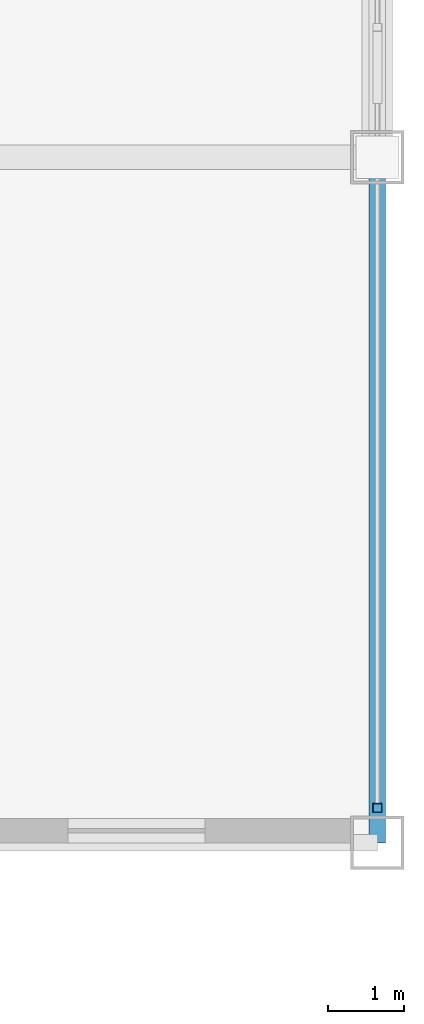
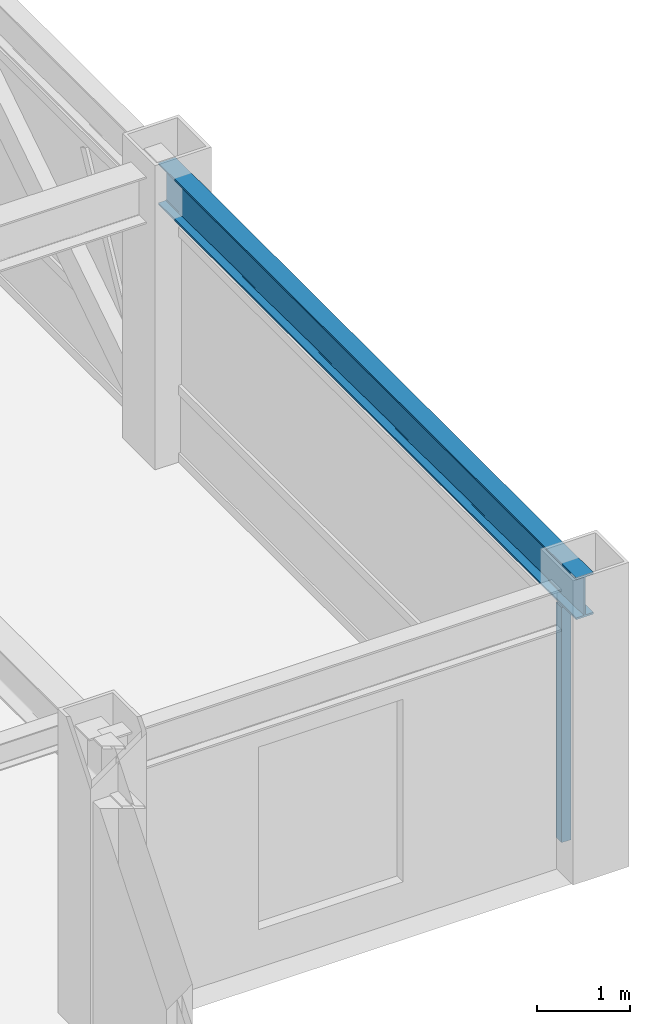
# One storey, part 10 of 29: 1 beam, 1 member, 1 element without a shape of its own.
"""IFC4 building model written with IfcOpenShell, lengths in metres."""

from ifc_helpers import new_model, si_unit, direction, frame, origin, origin_2d, place, context, subcontext, project, spatial, hollow_rectangle, i_section, extrude, source, transform, mapped, material, material_profile, profile_set, type_object, element, aggregate, save


model = new_model("IFC4")

# Units and contexts
model_context = context("Model", 3, precision=1e-05, world=origin(), true_north=direction((0.0, 1.0)))
body_context = subcontext(model_context, "Body", "Model", "MODEL_VIEW")
ifc_project = project(units=[si_unit("LENGTHUNIT", "METRE"), si_unit("AREAUNIT", "SQUARE_METRE"), si_unit("VOLUMEUNIT", "CUBIC_METRE"), si_unit("PLANEANGLEUNIT", "RADIAN"), si_unit("MASSUNIT", "GRAM", prefix="KILO")], contexts=[model_context])

# Site, building, storey
site_placement = place(None, origin())
site = spatial("IfcSite", under=ifc_project, at=site_placement, CompositionType="ELEMENT")
building_placement = place(site_placement, origin())
building = spatial("IfcBuilding", under=site, at=building_placement, Name="Khorayat Bourse Tower", CompositionType="ELEMENT")
storey_placement = place(building_placement, frame((0.0, 0.0, 366.300048828125)))
storey = spatial("IfcBuildingStorey", under=building, at=storey_placement, Name="L87", CompositionType="ELEMENT", Elevation=366.300048828125)

# Beam
ifc_material_1 = material(Name="Steel ASTM A992 Grade 50", Category="steel")
ifc_material_profile_1 = material_profile(ifc_material_1, i_section(OverallWidth=0.214111328125, OverallDepth=0.549072265625, WebThickness=0.0146484375, FlangeThickness=0.023681640625, FilletRadius=0.013916015625, at=origin_2d()), Name="W530X138")
ifc_profile_set_1 = profile_set([ifc_material_profile_1], Name="Steel ASTM A992 Grade 50")
beam_type = type_object("IfcBeamType", Name="BM-SPAN-530", PredefinedType="SPANDREL", material=ifc_profile_set_1)
shared_shape_1 = source(origin(), body_context, "Body", "SweptSolid", [
    extrude(i_section(OverallWidth=0.214111328125, OverallDepth=0.549072265625, WebThickness=0.0146484375, FlangeThickness=0.023681640625, FilletRadius=0.013916015625, at=origin_2d()), origin(), (0.0, 0.0, 1.0), 9.0),
])
beam_placement = place(storey_placement, frame((26.0, -20.0, 3.46533203125), z_axis=(0.0, 1.0, 0.0), x_axis=(-1.0, 0.0, 0.0)))
element("IfcBeam", 1, at=beam_placement, inside=storey, type_object=beam_type, Name="L87 BM-SPAN-530 BM-L87-SPN-032", PredefinedType="SPANDREL", context=body_context, shape_type="MappedRepresentation", body=[
    mapped(shared_shape_1, transform((0.0, 0.0, 0.0), scale=1.0)),
])

# Curtain wall, member
ifc_material_2 = material(Name="Aluminium EN AW-6063 T6", Category="aluminium")
curtain_wall_type = type_object("IfcCurtainWallType", Name="CW-SYS-04", PredefinedType="NOTDEFINED", material=ifc_material_2)
curtain_wall_placement = place(storey_placement, origin())
curtain_wall = element("IfcCurtainWall", 2, at=curtain_wall_placement, inside=storey, type_object=curtain_wall_type, Name="L87 Curtain Wall CW-L87-E1", PredefinedType="NOTDEFINED")
ifc_material_profile_2 = material_profile(ifc_material_2, hollow_rectangle(XDim=0.1201171875, YDim=0.1201171875, WallThickness=0.0048828125, at=origin_2d()), Name="ALU 120x120x5")
ifc_profile_set_2 = profile_set([ifc_material_profile_2], Name="Aluminium EN AW-6063 T6")
member_type = type_object("IfcMemberType", Name="CWM-VERT-120", PredefinedType="MULLION", material=ifc_profile_set_2)
shared_shape_2 = source(origin(), body_context, "Body", "SweptSolid", [
    extrude(hollow_rectangle(XDim=0.1201171875, YDim=0.1201171875, WallThickness=0.0048828125, at=origin_2d()), origin(), (0.0, 0.0, 1.0), 3.08984375),
])
member_placement = place(storey_placement, frame((26.0, -19.5400390625, 0.0), z_axis=(0.0, 0.0, 1.0), x_axis=(-1.0, 0.0, 0.0)))
member = element("IfcMember", 3, at=member_placement, type_object=member_type, Name="CW-L87-E1 Vertical Mullion 1", PredefinedType="MULLION", context=body_context, shape_type="MappedRepresentation", body=[
    mapped(shared_shape_2, transform((0.0, 0.0, 0.0), scale=1.0)),
])
aggregate(curtain_wall, [member])

save(model, "model.ifc")
